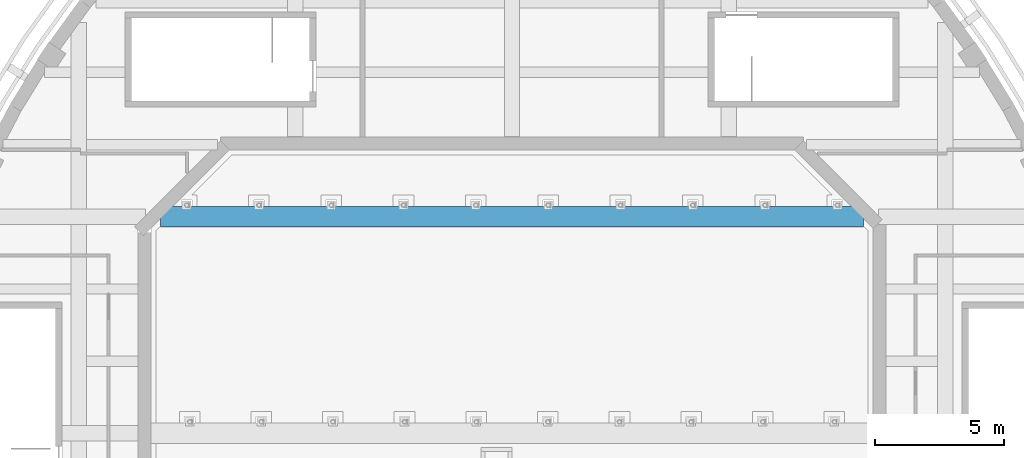
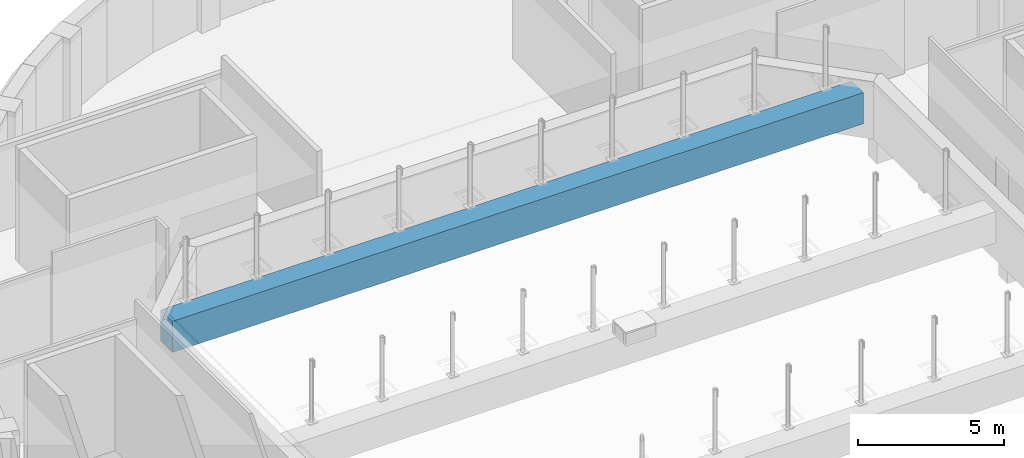
# One storey, part 19 of 47: 1 beam.
"""IFC4 building model written with IfcOpenShell, lengths in metres."""

from ifc_helpers import new_model, si_unit, direction, frame, origin, origin_2d, place, context, subcontext, project, spatial, rectangle, extrude, material, material_profile, profile_set, type_object, element, save


model = new_model("IFC4")

# Units and contexts
model_context = context("Model", 3, precision=1e-05, world=origin(), true_north=direction((0.0, 1.0)))
body_context = subcontext(model_context, "Body", "Model", "MODEL_VIEW")
ifc_project = project(units=[si_unit("LENGTHUNIT", "METRE"), si_unit("AREAUNIT", "SQUARE_METRE"), si_unit("VOLUMEUNIT", "CUBIC_METRE"), si_unit("PLANEANGLEUNIT", "RADIAN"), si_unit("MASSUNIT", "GRAM", prefix="KILO")], contexts=[model_context])

# Site, building, storey
site_placement = place(None, origin())
site = spatial("IfcSite", under=ifc_project, at=site_placement, CompositionType="ELEMENT")
building_placement = place(site_placement, origin())
building = spatial("IfcBuilding", under=site, at=building_placement, Name="Larchfold Concert Hall", CompositionType="ELEMENT")
storey_placement = place(building_placement, frame((0.0, 0.0, 24.0)))
storey = spatial("IfcBuildingStorey", under=building, at=storey_placement, Name="L05", CompositionType="ELEMENT", Elevation=24.0)

# Beam
ifc_material = material(Name="Concrete C40/50", Category="concrete")
ifc_material_profile = material_profile(ifc_material, rectangle(XDim=0.800048828125, YDim=1.300048828125, at=origin_2d()))
ifc_profile_set = profile_set([ifc_material_profile], Name="Concrete C40/50")
beam_type = type_object("IfcBeamType", Name="Beam RC 800x1300", PredefinedType="BEAM", material=ifc_profile_set)
beam_placement = place(storey_placement, frame((28.971923828125, 101.39990234375, 1.39990234375), z_axis=(1.0, 0.0, 0.0), x_axis=(0.0, 1.0, 0.0)))
element("IfcBeam", 1, at=beam_placement, inside=storey, type_object=beam_type, Name="Beam B1855", PredefinedType="BEAM", context=body_context, shape_type="SweptSolid", body=[
    extrude(rectangle(XDim=0.800048828125, YDim=1.300048828125, at=origin_2d()), origin(), (0.0, 0.0, 1.0), 27.25634765625),
])

save(model, "model.ifc")
